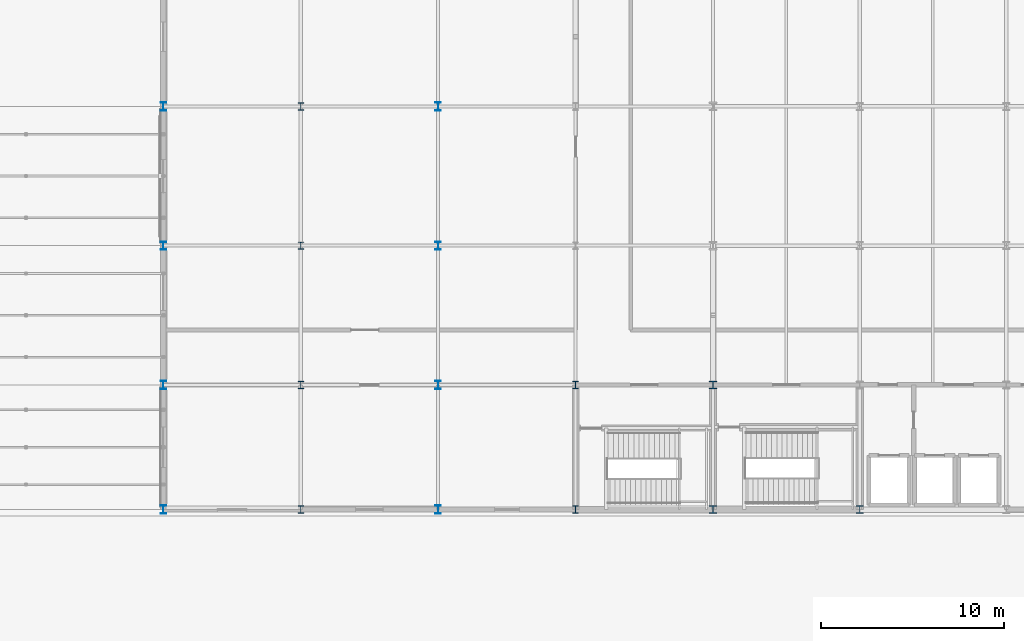
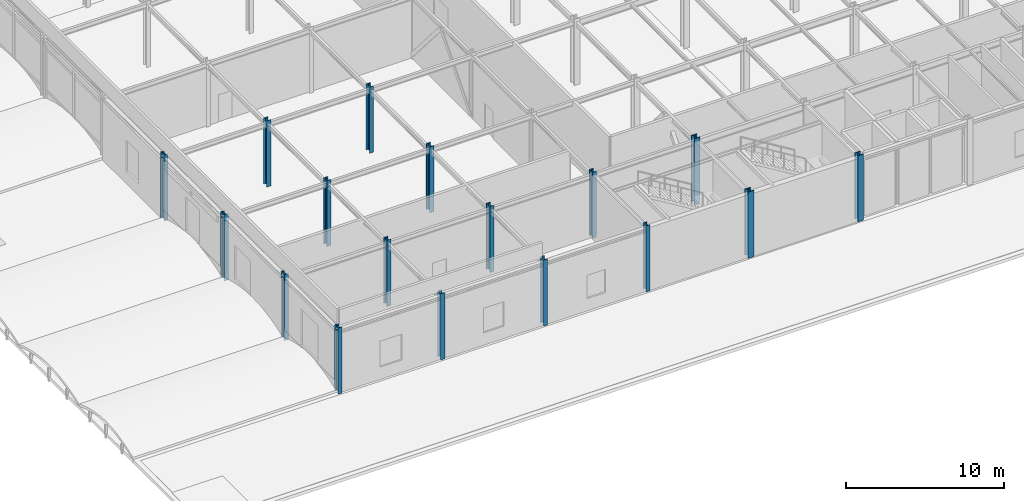
# One storey, part 1 of 113: 17 columns.
"""IFC4 building model written with IfcOpenShell, lengths in metres."""

from ifc_helpers import new_model, si_unit, direction, frame, origin, origin_2d, place, context, subcontext, project, spatial, i_section, extrude, material, material_profile, profile_set, type_object, element, save


model = new_model("IFC4")

# Units and contexts
model_context = context("Model", 3, precision=1e-05, world=origin(), true_north=direction((0.0, 1.0)))
body_context = subcontext(model_context, "Body", "Model", "MODEL_VIEW")
ifc_project = project(units=[si_unit("LENGTHUNIT", "METRE"), si_unit("AREAUNIT", "SQUARE_METRE"), si_unit("VOLUMEUNIT", "CUBIC_METRE"), si_unit("PLANEANGLEUNIT", "RADIAN"), si_unit("MASSUNIT", "GRAM", prefix="KILO")], contexts=[model_context])

# Site, building, storey
site_placement = place(None, origin())
site = spatial("IfcSite", under=ifc_project, at=site_placement, CompositionType="ELEMENT")
building_placement = place(site_placement, origin())
building = spatial("IfcBuilding", under=site, at=building_placement, Name="Shalkamar Park Central Library", CompositionType="ELEMENT")
storey_placement = place(building_placement, frame((0.0, 0.0, 5.39990234375)))
storey = spatial("IfcBuildingStorey", under=building, at=storey_placement, Name="L02", CompositionType="ELEMENT", Elevation=5.39990234375)

# Columns
ifc_material = material(Name="Steel S355", Category="steel")
ifc_material_profile_1 = material_profile(ifc_material, i_section(OverallWidth=0.412109375, OverallDepth=0.43505859375, WebThickness=0.035888671875, FlangeThickness=0.057373046875, FilletRadius=0.014892578125, at=origin_2d()), Name="HD 400x463")
ifc_profile_set_1 = profile_set([ifc_material_profile_1], Name="Steel S355")
column_type_1 = type_object("IfcColumnType", Name="Column Steel HD400x463", PredefinedType="COLUMN", material=ifc_profile_set_1)
column_placement = place(storey_placement, frame((173.0, 248.39990234375, 0.0), z_axis=(0.0, 0.0, 1.0), x_axis=(1.0, 0.0, 0.0)))
element("IfcColumn", 1, at=column_placement, inside=storey, type_object=column_type_1, Name="Column 08/B (L02)", PredefinedType="COLUMN", context=body_context, shape_type="SweptSolid", body=[
    extrude(i_section(OverallWidth=0.412109375, OverallDepth=0.43505859375, WebThickness=0.035888671875, FlangeThickness=0.057373046875, FilletRadius=0.014892578125, at=origin_2d()), origin(), (0.0, 0.0, 1.0), 5.10009765625),
])
ifc_material_profile_2 = material_profile(ifc_material, i_section(OverallWidth=0.41796875, OverallDepth=0.455078125, WebThickness=0.0419921875, FlangeThickness=0.067626953125, FilletRadius=0.014892578125, at=origin_2d()), Name="HD 400x551")
ifc_profile_set_2 = profile_set([ifc_material_profile_2], Name="Steel S355")
column_type_2 = type_object("IfcColumnType", Name="Column Steel HD400x551", PredefinedType="COLUMN", material=ifc_profile_set_2)
for number, where, z_axis, x_axis, name in (
    (2, (165.0, 248.39990234375, 0.0), (0.0, 0.0, 1.0), (1.0, 0.0, 0.0), "Column 07/B (L02)"),
    (3, (165.0, 255.199951171875, 0.0), (0.0, 0.0, 1.0), (1.0, 0.0, 0.0), "Column 07/C (L02)"),
):
    element("IfcColumn", number, at=place(storey_placement, frame(where, z_axis=z_axis, x_axis=x_axis)), inside=storey, type_object=column_type_2, Name=name, PredefinedType="COLUMN", context=body_context, shape_type="SweptSolid", body=[
        extrude(i_section(OverallWidth=0.41796875, OverallDepth=0.455078125, WebThickness=0.0419921875, FlangeThickness=0.067626953125, FilletRadius=0.014892578125, at=origin_2d()), origin(), (0.0, 0.0, 1.0), 5.10009765625),
    ])
ifc_material_profile_3 = material_profile(ifc_material, i_section(OverallWidth=0.300048828125, OverallDepth=0.39990234375, WebThickness=0.013427734375, FlangeThickness=0.02392578125, FilletRadius=0.027099609375, at=origin_2d()), Name="HEB 400")
ifc_profile_set_3 = profile_set([ifc_material_profile_3], Name="Steel S355")
column_type_3 = type_object("IfcColumnType", Name="Column Steel HEB400", PredefinedType="COLUMN", material=ifc_profile_set_3)
for number, where, z_axis, x_axis, name in (
    (4, (142.5, 248.39990234375, 0.0), (0.0, 0.0, 1.0), (1.0, 0.0, 0.0), "Column 04/B (L02)"),
    (5, (142.5, 255.199951171875, 0.0), (0.0, 0.0, 1.0), (1.0, 0.0, 0.0), "Column 04/C (L02)"),
    (6, (142.5, 262.800048828125, 0.0), (0.0, 0.0, 1.0), (1.0, 0.0, 0.0), "Column 04/D (L02)"),
    (7, (142.5, 270.39990234375, 0.0), (0.0, 0.0, 1.0), (1.0, 0.0, 0.0), "Column 04/E (L02)"),
    (8, (157.5, 248.39990234375, 0.0), (0.0, 0.0, 1.0), (1.0, 0.0, 0.0), "Column 06/B (L02)"),
    (9, (157.5, 255.199951171875, 0.0), (0.0, 0.0, 1.0), (1.0, 0.0, 0.0), "Column 06/C (L02)"),
):
    element("IfcColumn", number, at=place(storey_placement, frame(where, z_axis=z_axis, x_axis=x_axis)), inside=storey, type_object=column_type_3, Name=name, PredefinedType="COLUMN", context=body_context, shape_type="SweptSolid", body=[
        extrude(i_section(OverallWidth=0.300048828125, OverallDepth=0.39990234375, WebThickness=0.013427734375, FlangeThickness=0.02392578125, FilletRadius=0.027099609375, at=origin_2d()), origin(), (0.0, 0.0, 1.0), 5.10009765625),
    ])
ifc_material_profile_4 = material_profile(ifc_material, i_section(OverallWidth=0.300048828125, OverallDepth=0.449951171875, WebThickness=0.013916015625, FlangeThickness=0.02587890625, FilletRadius=0.027099609375, at=origin_2d()), Name="HEB 450")
ifc_profile_set_4 = profile_set([ifc_material_profile_4], Name="Steel S355")
column_type_4 = type_object("IfcColumnType", Name="Column Steel HEB450", PredefinedType="COLUMN", material=ifc_profile_set_4)
for number, where, z_axis, x_axis, name in (
    (10, (135.0, 248.39990234375, 0.0), (0.0, 0.0, 1.0), (1.0, 0.0, 0.0), "Column 03/B (L02)"),
    (11, (135.0, 255.199951171875, 0.0), (0.0, 0.0, 1.0), (1.0, 0.0, 0.0), "Column 03/C (L02)"),
    (12, (135.0, 262.800048828125, 0.0), (0.0, 0.0, 1.0), (1.0, 0.0, 0.0), "Column 03/D (L02)"),
    (13, (135.0, 270.39990234375, 0.0), (0.0, 0.0, 1.0), (1.0, 0.0, 0.0), "Column 03/E (L02)"),
    (14, (150.0, 248.39990234375, 0.0), (0.0, 0.0, 1.0), (1.0, 0.0, 0.0), "Column 05/B (L02)"),
    (15, (150.0, 255.199951171875, 0.0), (0.0, 0.0, 1.0), (1.0, 0.0, 0.0), "Column 05/C (L02)"),
    (16, (150.0, 262.800048828125, 0.0), (0.0, 0.0, 1.0), (1.0, 0.0, 0.0), "Column 05/D (L02)"),
    (17, (150.0, 270.39990234375, 0.0), (0.0, 0.0, 1.0), (1.0, 0.0, 0.0), "Column 05/E (L02)"),
):
    element("IfcColumn", number, at=place(storey_placement, frame(where, z_axis=z_axis, x_axis=x_axis)), inside=storey, type_object=column_type_4, Name=name, PredefinedType="COLUMN", context=body_context, shape_type="SweptSolid", body=[
        extrude(i_section(OverallWidth=0.300048828125, OverallDepth=0.449951171875, WebThickness=0.013916015625, FlangeThickness=0.02587890625, FilletRadius=0.027099609375, at=origin_2d()), origin(), (0.0, 0.0, 1.0), 5.10009765625),
    ])

save(model, "model.ifc")
